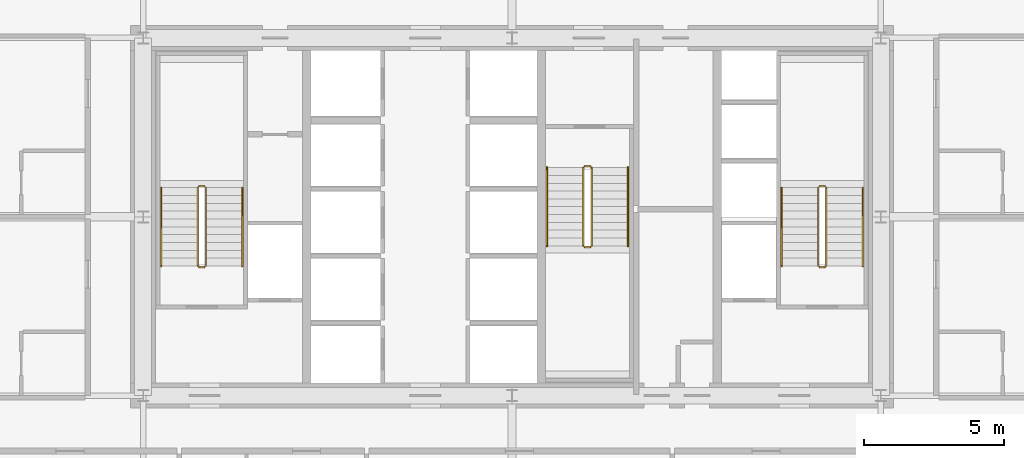
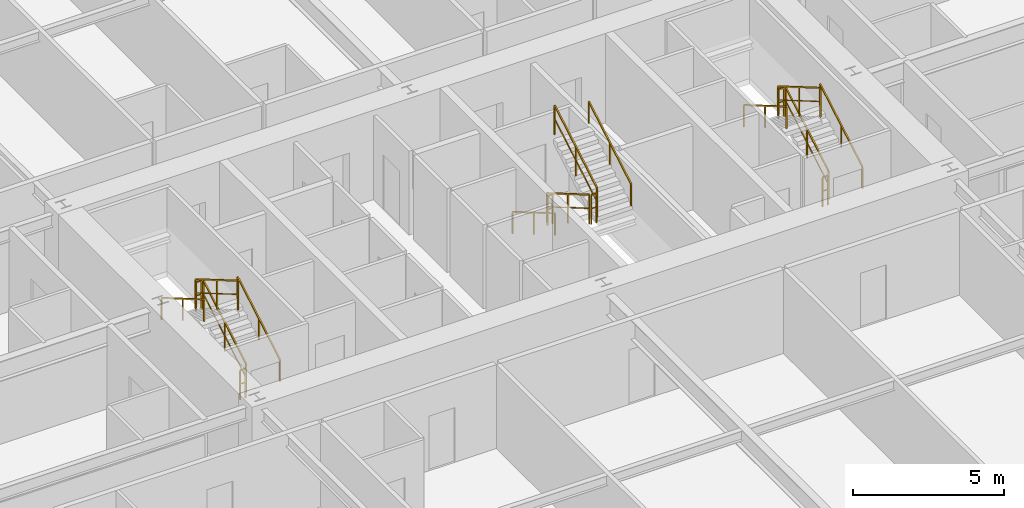
# One storey, part 43 of 43: 18 railings.
"""IFC4 building model written with IfcOpenShell, lengths in metres."""

from ifc_helpers import new_model, si_unit, direction, frame, origin, origin_2d, place, context, subcontext, project, spatial, rectangle, extrude, source, transform, mapped, material, layer, layer_set, type_object, element, save


model = new_model("IFC4")

# Units and contexts
model_context = context("Model", 3, precision=1e-05, world=origin(), true_north=direction((0.0, 1.0)))
body_context = subcontext(model_context, "Body", "Model", "MODEL_VIEW")
ifc_project = project(units=[si_unit("LENGTHUNIT", "METRE"), si_unit("AREAUNIT", "SQUARE_METRE"), si_unit("VOLUMEUNIT", "CUBIC_METRE"), si_unit("PLANEANGLEUNIT", "RADIAN"), si_unit("MASSUNIT", "GRAM", prefix="KILO"), si_unit("THERMODYNAMICTEMPERATUREUNIT", "KELVIN"), si_unit("POWERUNIT", "WATT")], contexts=[model_context])

# Site, building, storey
site_placement = place(None, origin())
site = spatial("IfcSite", under=ifc_project, at=site_placement, CompositionType="ELEMENT")
building_placement = place(site_placement, origin())
building = spatial("IfcBuilding", under=site, at=building_placement, Name="Yuzanri Waterfront Tower", CompositionType="ELEMENT")
storey_placement = place(building_placement, frame((0.0, 0.0, 53.199951171875)))
storey = spatial("IfcBuildingStorey", under=building, at=storey_placement, Name="L13", CompositionType="ELEMENT", Elevation=53.199951171875)

# Railings
ifc_material_1 = material(Name="Painted Galvanized Fire Steel", Category="steel")
ifc_layer_1 = layer(ifc_material_1, 0.06005859375)
ifc_layer_set_1 = layer_set([ifc_layer_1], Name="Painted Galvanized Fire Steel")
railing_type_1 = type_object("IfcRailingType", Name="Painted Steel Stairwell Guardrail 1120", PredefinedType="GUARDRAIL", material=ifc_layer_set_1)
shared_shape_1 = source(origin(), body_context, "Body", "SweptSolid", [
    extrude(rectangle(XDim=0.050048828125, YDim=0.050048828125, at=origin_2d()), frame((0.0, 0.0, 1.1748046875), z_axis=(-1.0, 0.0, 0.0), x_axis=(0.0, -1.0, 0.0)), (0.0, 0.0, 1.0), 0.199951171875),
    extrude(rectangle(XDim=0.035888671875, YDim=0.030029296875, at=origin_2d()), frame((0.0, 0.0, 0.6240234375), z_axis=(-1.0, 0.0, 0.0), x_axis=(0.0, -1.0, 0.0)), (0.0, 0.0, 1.0), 0.199951171875),
    extrude(rectangle(XDim=0.0458984375, YDim=0.0458984375, at=origin_2d()), origin(), (0.0, 0.0, 1.0), 1.14990234375),
    extrude(rectangle(XDim=0.0458984375, YDim=0.0458984375, at=origin_2d()), frame((-0.199951171875, 0.0, 0.0)), (0.0, 0.0, 1.0), 1.14990234375),
])
for number, where, name in (
    (1, (26.0, 26.889892578125, 1.800048828125), "L13 ST-01 stair guard 2"),
    (2, (26.0, 23.989990234375, 0.0), "L13 ST-01 stair guard 4"),
    (3, (48.199951171875, 26.889892578125, 1.800048828125), "L13 ST-02 stair guard 2"),
    (4, (48.199951171875, 23.989990234375, 0.0), "L13 ST-02 stair guard 4"),
):
    element("IfcRailing", number, at=place(storey_placement, frame(where)), inside=storey, type_object=railing_type_1, Name=name, PredefinedType="GUARDRAIL", context=body_context, shape_type="MappedRepresentation", body=[
        mapped(shared_shape_1, transform((0.0, 0.0, 0.0), scale=1.0)),
    ])
shared_shape_2 = source(origin(), body_context, "Body", "SweptSolid", [
    extrude(rectangle(XDim=0.050048828125, YDim=0.050048828125, at=origin_2d()), frame((0.0, 0.0, 1.1748046875), z_axis=(0.0, 0.863360870873, 0.504586966384), x_axis=(-1.0, 0.0, 0.0)), (0.0, 0.0, 1.0), 3.2431640625),
    extrude(rectangle(XDim=0.035888671875, YDim=0.030029296875, at=origin_2d()), frame((0.0, 0.0, 0.6240234375), z_axis=(0.0, 0.863360870873, 0.504586966384), x_axis=(-1.0, 0.0, 0.0)), (0.0, 0.0, 1.0), 3.2431640625),
    extrude(rectangle(XDim=0.0458984375, YDim=0.0458984375, at=origin_2d()), origin(), (0.0, 0.0, 1.0), 1.14990234375),
    extrude(rectangle(XDim=0.0458984375, YDim=0.0458984375, at=origin_2d()), frame((0.0, 1.39990234375, 0.818359375)), (0.0, 0.0, 1.0), 1.14990234375),
    extrude(rectangle(XDim=0.0458984375, YDim=0.0458984375, at=origin_2d()), frame((0.0, 2.800048828125, 1.636474609375)), (0.0, 0.0, 1.0), 1.14990234375),
])
for number, where, name in (
    (5, (26.050048828125, 24.0400390625, 0.16357421875), "L13 ST-01 stair guard 1"),
    (6, (48.25, 24.0400390625, 0.16357421875), "L13 ST-02 stair guard 1"),
    (7, (39.85009765625, 24.760009765625, 1.963623046875), "L13 ST-03 stair guard 3"),
):
    element("IfcRailing", number, at=place(storey_placement, frame(where)), inside=storey, type_object=railing_type_1, Name=name, PredefinedType="GUARDRAIL", context=body_context, shape_type="MappedRepresentation", body=[
        mapped(shared_shape_2, transform((0.0, 0.0, 0.0), scale=1.0)),
    ])
shared_shape_3 = source(origin(), body_context, "Body", "SweptSolid", [
    extrude(rectangle(XDim=0.050048828125, YDim=0.050048828125, at=origin_2d()), frame((0.0, 0.0, 1.1748046875), z_axis=(0.0, -0.863360870873, 0.504586966384), x_axis=(1.0, 0.0, 0.0)), (0.0, 0.0, 1.0), 3.2431640625),
    extrude(rectangle(XDim=0.035888671875, YDim=0.030029296875, at=origin_2d()), frame((0.0, 0.0, 0.6240234375), z_axis=(0.0, -0.863360870873, 0.504586966384), x_axis=(1.0, 0.0, 0.0)), (0.0, 0.0, 1.0), 3.2431640625),
    extrude(rectangle(XDim=0.0458984375, YDim=0.0458984375, at=origin_2d()), origin(), (0.0, 0.0, 1.0), 1.14990234375),
    extrude(rectangle(XDim=0.0458984375, YDim=0.0458984375, at=origin_2d()), frame((0.0, -1.39990234375, 0.818359375)), (0.0, 0.0, 1.0), 1.14990234375),
    extrude(rectangle(XDim=0.0458984375, YDim=0.0458984375, at=origin_2d()), frame((0.0, -2.800048828125, 1.636474609375)), (0.0, 0.0, 1.0), 1.14990234375),
])
for number, where, name in (
    (8, (25.75, 26.840087890625, 1.963623046875), "L13 ST-01 stair guard 3"),
    (9, (47.949951171875, 26.840087890625, 1.963623046875), "L13 ST-02 stair guard 3"),
    (10, (39.550048828125, 27.56005859375, 0.16357421875), "L13 ST-03 stair guard 1"),
):
    element("IfcRailing", number, at=place(storey_placement, frame(where)), inside=storey, type_object=railing_type_1, Name=name, PredefinedType="GUARDRAIL", context=body_context, shape_type="MappedRepresentation", body=[
        mapped(shared_shape_3, transform((0.0, 0.0, 0.0), scale=1.0)),
    ])
ifc_material_2 = material(Name="Anodized Architectural Bronze", Category="metal")
ifc_layer_2 = layer(ifc_material_2, 0.050048828125)
ifc_layer_set_2 = layer_set([ifc_layer_2], Name="Anodized Architectural Bronze")
railing_type_2 = type_object("IfcRailingType", Name="Brushed Bronze Stair Pitch Handrail 920", PredefinedType="HANDRAIL", material=ifc_layer_set_2)
shared_shape_4 = source(origin(), body_context, "Body", "SweptSolid", [
    extrude(rectangle(XDim=0.050048828125, YDim=0.050048828125, at=origin_2d()), frame((0.0, 0.0, 0.875), z_axis=(0.0, 0.863360870873, 0.504586966384), x_axis=(-1.0, 0.0, 0.0)), (0.0, 0.0, 1.0), 3.2431640625),
    extrude(rectangle(XDim=0.0458984375, YDim=0.0458984375, at=origin_2d()), origin(), (0.0, 0.0, 1.0), 0.849853515625),
    extrude(rectangle(XDim=0.0458984375, YDim=0.0458984375, at=origin_2d()), frame((0.0, 1.39990234375, 0.818359375)), (0.0, 0.0, 1.0), 0.849853515625),
    extrude(rectangle(XDim=0.0458984375, YDim=0.0458984375, at=origin_2d()), frame((0.0, 2.800048828125, 1.636474609375)), (0.0, 0.0, 1.0), 0.849853515625),
])
for number, where, name in (
    (11, (27.35009765625, 24.0400390625, 0.16357421875), "L13 ST-01 stair handrail 1"),
    (12, (49.550048828125, 24.0400390625, 0.16357421875), "L13 ST-02 stair handrail 1"),
    (13, (41.14990234375, 24.760009765625, 1.963623046875), "L13 ST-03 stair handrail 2"),
):
    element("IfcRailing", number, at=place(storey_placement, frame(where)), inside=storey, type_object=railing_type_2, Name=name, PredefinedType="HANDRAIL", context=body_context, shape_type="MappedRepresentation", body=[
        mapped(shared_shape_4, transform((0.0, 0.0, 0.0), scale=1.0)),
    ])
shared_shape_5 = source(origin(), body_context, "Body", "SweptSolid", [
    extrude(rectangle(XDim=0.050048828125, YDim=0.050048828125, at=origin_2d()), frame((0.0, 0.0, 0.875), z_axis=(0.0, -0.863360870873, 0.504586966384), x_axis=(1.0, 0.0, 0.0)), (0.0, 0.0, 1.0), 3.2431640625),
    extrude(rectangle(XDim=0.0458984375, YDim=0.0458984375, at=origin_2d()), origin(), (0.0, 0.0, 1.0), 0.849853515625),
    extrude(rectangle(XDim=0.0458984375, YDim=0.0458984375, at=origin_2d()), frame((0.0, -1.39990234375, 0.818359375)), (0.0, 0.0, 1.0), 0.849853515625),
    extrude(rectangle(XDim=0.0458984375, YDim=0.0458984375, at=origin_2d()), frame((0.0, -2.800048828125, 1.636474609375)), (0.0, 0.0, 1.0), 0.849853515625),
])
for number, where, name in (
    (14, (24.449951171875, 26.840087890625, 1.963623046875), "L13 ST-01 stair handrail 2"),
    (15, (46.64990234375, 26.840087890625, 1.963623046875), "L13 ST-02 stair handrail 2"),
    (16, (38.25, 27.56005859375, 0.16357421875), "L13 ST-03 stair handrail 1"),
):
    element("IfcRailing", number, at=place(storey_placement, frame(where)), inside=storey, type_object=railing_type_2, Name=name, PredefinedType="HANDRAIL", context=body_context, shape_type="MappedRepresentation", body=[
        mapped(shared_shape_5, transform((0.0, 0.0, 0.0), scale=1.0)),
    ])
shared_shape_6 = source(origin(), body_context, "Body", "SweptSolid", [
    extrude(rectangle(XDim=0.050048828125, YDim=0.050048828125, at=origin_2d()), frame((0.0, 0.0, 1.1748046875), z_axis=(1.0, 0.0, 0.0), x_axis=(0.0, 1.0, 0.0)), (0.0, 0.0, 1.0), 0.199951171875),
    extrude(rectangle(XDim=0.035888671875, YDim=0.030029296875, at=origin_2d()), frame((0.0, 0.0, 0.6240234375), z_axis=(1.0, 0.0, 0.0), x_axis=(0.0, 1.0, 0.0)), (0.0, 0.0, 1.0), 0.199951171875),
    extrude(rectangle(XDim=0.0458984375, YDim=0.0458984375, at=origin_2d()), origin(), (0.0, 0.0, 1.0), 1.14990234375),
    extrude(rectangle(XDim=0.0458984375, YDim=0.0458984375, at=origin_2d()), frame((0.199951171875, 0.0, 0.0)), (0.0, 0.0, 1.0), 1.14990234375),
])
for number, where, name in (
    (17, (39.60009765625, 24.7099609375, 1.800048828125), "L13 ST-03 stair guard 2"),
    (18, (39.60009765625, 27.610107421875, 0.0), "L13 ST-03 stair guard 4"),
):
    element("IfcRailing", number, at=place(storey_placement, frame(where)), inside=storey, type_object=railing_type_1, Name=name, PredefinedType="GUARDRAIL", context=body_context, shape_type="MappedRepresentation", body=[
        mapped(shared_shape_6, transform((0.0, 0.0, 0.0), scale=1.0)),
    ])

save(model, "model.ifc")
